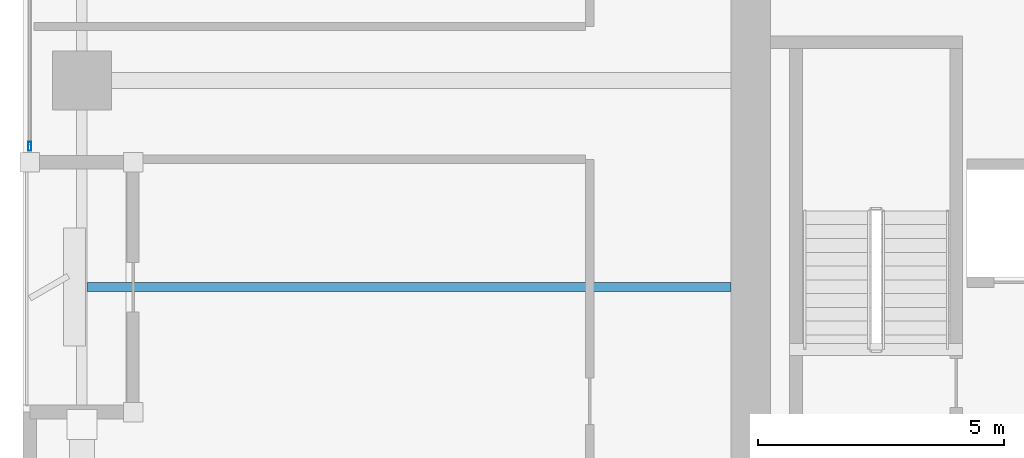
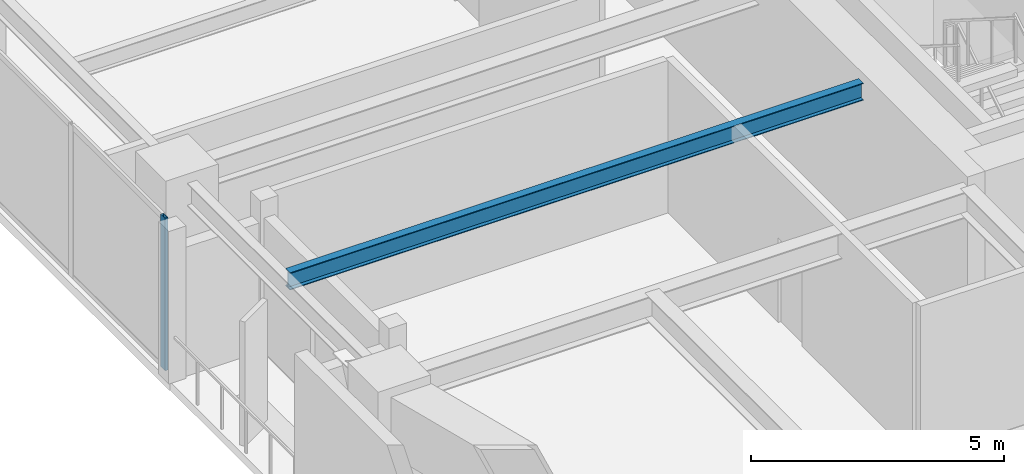
# One storey, part 2 of 30: 1 beam, 1 member, 1 element without a shape of its own.
"""IFC4 building model written with IfcOpenShell, lengths in metres."""

from ifc_helpers import new_model, si_unit, direction, frame, origin, origin_2d, place, context, subcontext, project, spatial, hollow_rectangle, i_section, extrude, material, layer, layer_set, material_profile, profile_set, type_object, element, aggregate, save


model = new_model("IFC4")

# Units and contexts
model_context = context("Model", 3, precision=1e-05, world=origin(), true_north=direction((0.0, 1.0)))
body_context = subcontext(model_context, "Body", "Model", "MODEL_VIEW")
ifc_project = project(units=[si_unit("LENGTHUNIT", "METRE"), si_unit("AREAUNIT", "SQUARE_METRE"), si_unit("VOLUMEUNIT", "CUBIC_METRE"), si_unit("PLANEANGLEUNIT", "RADIAN"), si_unit("MASSUNIT", "GRAM", prefix="KILO")], contexts=[model_context])

# Site, building, storey
site_placement = place(None, origin())
site = spatial("IfcSite", under=ifc_project, at=site_placement, CompositionType="ELEMENT")
building_placement = place(site_placement, origin())
building = spatial("IfcBuilding", under=site, at=building_placement, Name="Kiyonajd Concourse Tower", CompositionType="ELEMENT")
storey_placement = place(building_placement, frame((0.0, 0.0, 174.0)))
storey = spatial("IfcBuildingStorey", under=building, at=storey_placement, Name="L44", CompositionType="ELEMENT", Elevation=174.0)

# Beam
ifc_material_1 = material(Name="Steel ASTM A992 Grade 50", Category="steel")
ifc_material_profile_1 = material_profile(ifc_material_1, i_section(OverallWidth=0.180908203125, OverallDepth=0.4169921875, WebThickness=0.010986328125, FlangeThickness=0.018310546875, at=origin_2d()), Name="W410X85")
ifc_profile_set_1 = profile_set([ifc_material_profile_1], Name="Steel ASTM A992 Grade 50")
beam_type = type_object("IfcBeamType", Name="BM-JST-410", PredefinedType="JOIST", material=ifc_profile_set_1)
beam_placement = place(storey_placement, frame((19.306884765625, 31.800048828125, 3.471435546875), z_axis=(1.0, 0.0, 0.0), x_axis=(0.0, 1.0, 0.0)))
element("IfcBeam", 1, at=beam_placement, inside=storey, type_object=beam_type, Name="L44 West Secondary Floor Joist", PredefinedType="JOIST", context=body_context, shape_type="SweptSolid", body=[
    extrude(i_section(OverallWidth=0.180908203125, OverallDepth=0.4169921875, WebThickness=0.010986328125, FlangeThickness=0.018310546875, at=origin_2d()), origin(), (0.0, 0.0, 1.0), 13.093017578125),
])

# Curtain wall, member
ifc_material_2 = material(Name="Thermally Broken Anodised Aluminium", Category="aluminium")
ifc_layer = layer(ifc_material_2, 0.179931640625)
ifc_layer_set = layer_set([ifc_layer], Name="Thermally Broken Anodised Aluminium")
curtain_wall_type = type_object("IfcCurtainWallType", Name="CW-SYS-03", PredefinedType="NOTDEFINED", material=ifc_layer_set)
curtain_wall_placement = place(storey_placement, origin())
curtain_wall = element("IfcCurtainWall", 2, at=curtain_wall_placement, inside=storey, type_object=curtain_wall_type, Name="L44 Unitised Curtain Wall CW3", PredefinedType="NOTDEFINED")
ifc_material_profile_2 = material_profile(ifc_material_2, hollow_rectangle(XDim=0.06494140625, YDim=0.179931640625, WallThickness=0.00390625, at=origin_2d()), Name="MULL-65x180")
ifc_profile_set_2 = profile_set([ifc_material_profile_2], Name="Thermally Broken Anodised Aluminium")
member_type = type_object("IfcMemberType", Name="MB-CW-MULL1", PredefinedType="MULLION", material=ifc_profile_set_2)
member_placement = place(storey_placement, frame((18.139892578125, 34.66259765625, 0.0), z_axis=(0.0, 0.0, 1.0), x_axis=(-1.0, 0.0, 0.0)))
member = element("IfcMember", 3, at=member_placement, type_object=member_type, Name="CW3 mullion 1", PredefinedType="MULLION", context=body_context, shape_type="SweptSolid", body=[
    extrude(hollow_rectangle(XDim=0.06494140625, YDim=0.179931640625, WallThickness=0.00390625, at=origin_2d()), origin(), (0.0, 0.0, 1.0), 3.679931640625),
])
aggregate(curtain_wall, [member])

save(model, "model.ifc")
